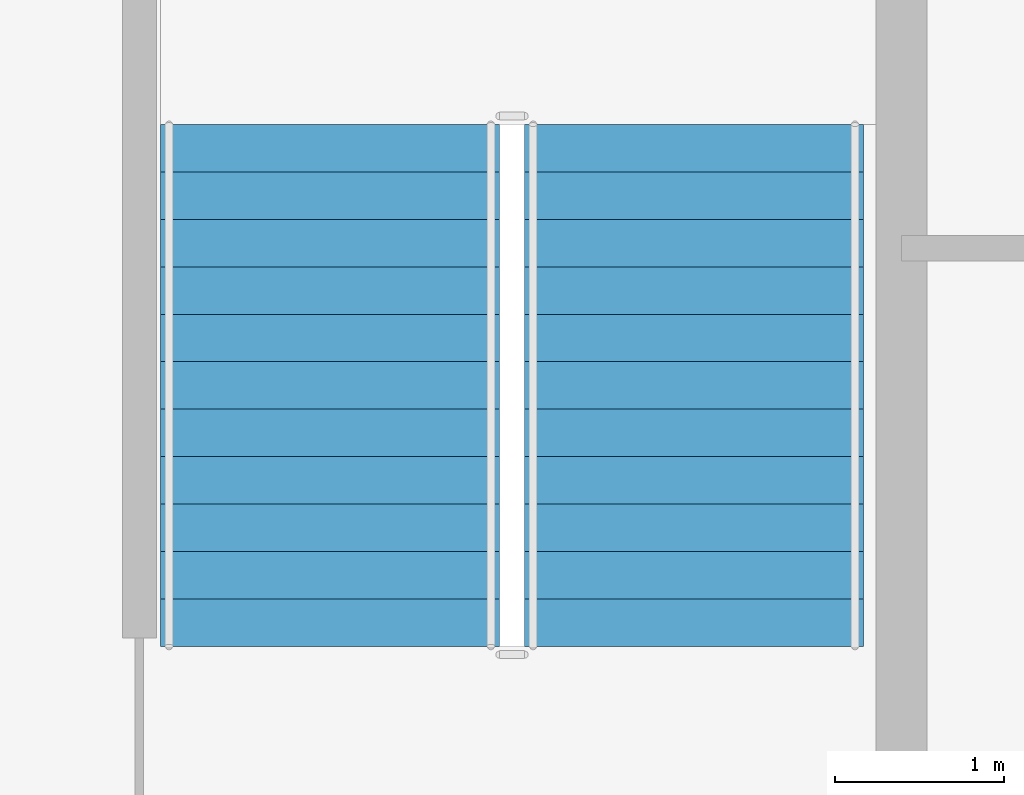
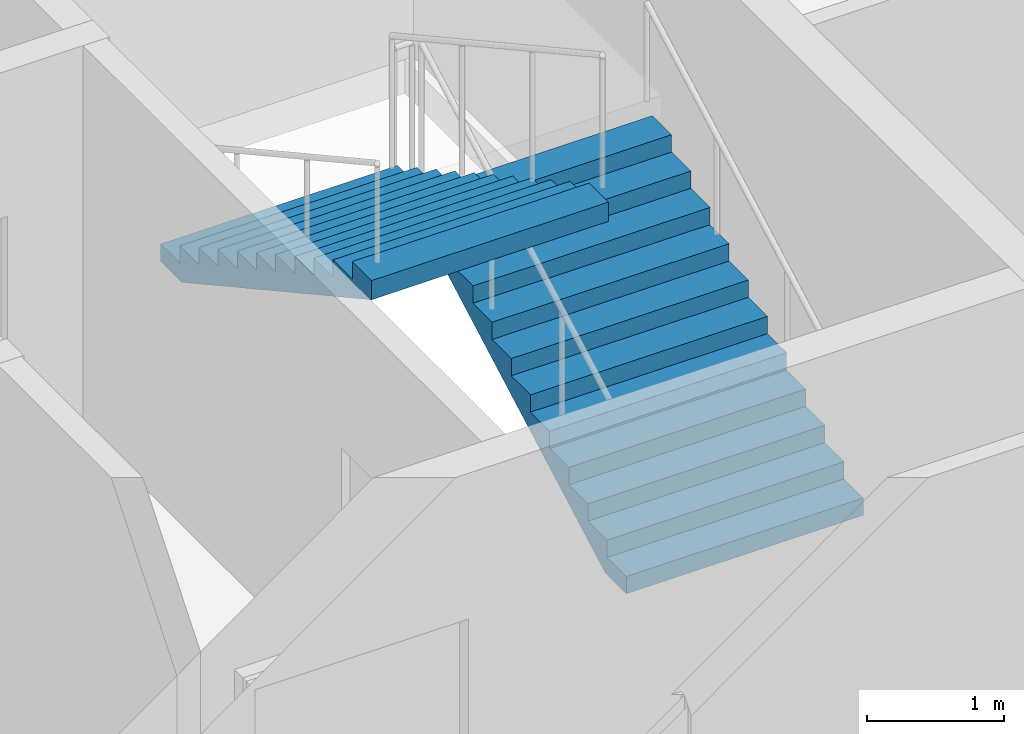
# One storey, part 11 of 13: 2 stair flights, 1 element without a shape of its own.
"""IFC4 building model written with IfcOpenShell, lengths in metres."""

from ifc_helpers import new_model, si_unit, direction, frame, origin, place, context, subcontext, project, spatial, polygons, material, type_object, element, aggregate, save


model = new_model("IFC4")

# Units and contexts
model_context = context("Model", 3, precision=1e-05, world=origin(), true_north=direction((0.0, 1.0)))
body_context = subcontext(model_context, "Body", "Model", "MODEL_VIEW")
ifc_project = project(units=[si_unit("LENGTHUNIT", "METRE"), si_unit("AREAUNIT", "SQUARE_METRE"), si_unit("VOLUMEUNIT", "CUBIC_METRE"), si_unit("PLANEANGLEUNIT", "RADIAN"), si_unit("MASSUNIT", "GRAM", prefix="KILO")], contexts=[model_context])

# Site, building, storey
site_placement = place(None, origin())
site = spatial("IfcSite", under=ifc_project, at=site_placement, CompositionType="ELEMENT")
building_placement = place(site_placement, origin())
building = spatial("IfcBuilding", under=site, at=building_placement, Name="Caravel Reach Hotel and Residences", CompositionType="ELEMENT")
storey_placement = place(building_placement, frame((0.0, 0.0, 180.199951171875)))
storey = spatial("IfcBuildingStorey", under=building, at=storey_placement, Name="L45", CompositionType="ELEMENT", Elevation=180.199951171875)

# Stair, stair flights
ifc_material_1 = material(Name="Concrete C40", Category="concrete")
stair_type = type_object("IfcStairType", Name="Core stair", PredefinedType="HALF_TURN_STAIR", material=ifc_material_1)
stair_placement = place(storey_placement, origin())
stair = element("IfcStair", 1, at=stair_placement, inside=storey, type_object=stair_type, Name="L45 Exit stair B", PredefinedType="HALF_TURN_STAIR")
ifc_material_2 = material(Name="Concrete C40", Category="concrete")
stair_flight_type = type_object("IfcStairFlightType", Name="Core stair flight", PredefinedType="STRAIGHT", material=ifc_material_2)
stair_flight_1_placement = place(storey_placement, frame((43.77490234375, 24.64990234375, 0.0), z_axis=(0.0, 0.0, 1.0), x_axis=(0.0, 1.0, 0.0)))
stair_flight_1 = element("IfcStairFlight", 2, at=stair_flight_1_placement, type_object=stair_flight_type, Name="ST-B flight 1", NumberOfRisers=12, NumberOfTreads=11, PredefinedType="STRAIGHT", RiserHeight=0.154166667, TreadLength=0.28, context=body_context, shape_type="Tessellation", body=[
    polygons([(0.3107950034306102, 1.0, 0.0), (0.3107950034306102, 0.6666666666666667, 0.0), (0.3107950034306102, 0.33333333333333337, 0.0), (0.3107950034306102, 0.0, 0.0), (0.3107950034306102, -0.33333333333333326, 0.0), (0.3107950034306102, -0.6666666666666667, 0.0), (0.3107950034306102, -1.0, 0.0), (3.081, 1.0, 1.524711087717319), (3.081, 0.6666666666666667, 1.524711087717319), (3.081, 0.33333333333333337, 1.524711087717319), (3.081, 0.0, 1.524711087717319), (3.081, -0.33333333333333326, 1.524711087717319), (3.081, -0.6666666666666667, 1.524711087717319), (3.081, -1.0, 1.524711087717319), (3.081, 1.0, 1.695833337), (3.081, 0.6666666666666667, 1.695833337), (3.081, 0.33333333333333337, 1.695833337), (3.081, 0.0, 1.695833337), (3.081, -0.33333333333333326, 1.695833337), (3.081, -0.6666666666666667, 1.695833337), (3.081, -1.0, 1.695833337), (2.8000000000000003, 1.0, 1.695833337), (2.8000000000000003, 0.6666666666666667, 1.695833337), (2.8000000000000003, 0.33333333333333337, 1.695833337), (2.8000000000000003, 0.0, 1.695833337), (2.8000000000000003, -0.33333333333333326, 1.695833337), (2.8000000000000003, -0.6666666666666667, 1.695833337), (2.8000000000000003, -1.0, 1.695833337), (2.8000000000000003, 1.0, 1.5416666700000001), (2.8000000000000003, 0.6666666666666667, 1.5416666700000001), (2.8000000000000003, 0.33333333333333337, 1.5416666700000001), (2.8000000000000003, 0.0, 1.5416666700000001), (2.8000000000000003, -0.33333333333333326, 1.5416666700000001), (2.8000000000000003, -0.6666666666666667, 1.5416666700000001), (2.8000000000000003, -1.0, 1.5416666700000001), (2.5200000000000005, 1.0, 1.5416666700000001), (2.5200000000000005, 0.6666666666666667, 1.5416666700000001), (2.5200000000000005, 0.33333333333333337, 1.5416666700000001), (2.5200000000000005, 0.0, 1.5416666700000001), (2.5200000000000005, -0.33333333333333326, 1.5416666700000001), (2.5200000000000005, -0.6666666666666667, 1.5416666700000001), (2.5200000000000005, -1.0, 1.5416666700000001), (2.5200000000000005, 1.0, 1.387500003), (2.5200000000000005, 0.6666666666666667, 1.387500003), (2.5200000000000005, 0.33333333333333337, 1.387500003), (2.5200000000000005, 0.0, 1.387500003), (2.5200000000000005, -0.33333333333333326, 1.387500003), (2.5200000000000005, -0.6666666666666667, 1.387500003), (2.5200000000000005, -1.0, 1.387500003), (2.24, 1.0, 1.387500003), (2.24, 0.6666666666666667, 1.387500003), (2.24, 0.33333333333333337, 1.387500003), (2.24, 0.0, 1.387500003), (2.24, -0.33333333333333326, 1.387500003), (2.24, -0.6666666666666667, 1.387500003), (2.24, -1.0, 1.387500003), (2.24, 1.0, 1.233333336), (2.24, 0.6666666666666667, 1.233333336), (2.24, 0.33333333333333337, 1.233333336), (2.24, 0.0, 1.233333336), (2.24, -0.33333333333333326, 1.233333336), (2.24, -0.6666666666666667, 1.233333336), (2.24, -1.0, 1.233333336), (1.9600000000000002, 1.0, 1.233333336), (1.9600000000000002, 0.6666666666666667, 1.233333336), (1.9600000000000002, 0.33333333333333337, 1.233333336), (1.9600000000000002, 0.0, 1.233333336), (1.9600000000000002, -0.33333333333333326, 1.233333336), (1.9600000000000002, -0.6666666666666667, 1.233333336), (1.9600000000000002, -1.0, 1.233333336), (1.9600000000000002, 1.0, 1.0791666690000001), (1.9600000000000002, 0.6666666666666667, 1.0791666690000001), (1.9600000000000002, 0.33333333333333337, 1.0791666690000001), (1.9600000000000002, 0.0, 1.0791666690000001), (1.9600000000000002, -0.33333333333333326, 1.0791666690000001), (1.9600000000000002, -0.6666666666666667, 1.0791666690000001), (1.9600000000000002, -1.0, 1.0791666690000001), (1.6800000000000002, 1.0, 1.0791666690000001), (1.6800000000000002, 0.6666666666666667, 1.0791666690000001), (1.6800000000000002, 0.33333333333333337, 1.0791666690000001), (1.6800000000000002, 0.0, 1.0791666690000001), (1.6800000000000002, -0.33333333333333326, 1.0791666690000001), (1.6800000000000002, -0.6666666666666667, 1.0791666690000001), (1.6800000000000002, -1.0, 1.0791666690000001), (1.6800000000000002, 1.0, 0.925000002), (1.6800000000000002, 0.6666666666666667, 0.925000002), (1.6800000000000002, 0.33333333333333337, 0.925000002), (1.6800000000000002, 0.0, 0.925000002), (1.6800000000000002, -0.33333333333333326, 0.925000002), (1.6800000000000002, -0.6666666666666667, 0.925000002), (1.6800000000000002, -1.0, 0.925000002), (1.4000000000000001, 1.0, 0.925000002), (1.4000000000000001, 0.6666666666666667, 0.925000002), (1.4000000000000001, 0.33333333333333337, 0.925000002), (1.4000000000000001, 0.0, 0.925000002), (1.4000000000000001, -0.33333333333333326, 0.925000002), (1.4000000000000001, -0.6666666666666667, 0.925000002), (1.4000000000000001, -1.0, 0.925000002), (1.4000000000000001, 1.0, 0.7708333350000001), (1.4000000000000001, 0.6666666666666667, 0.7708333350000001), (1.4000000000000001, 0.33333333333333337, 0.7708333350000001), (1.4000000000000001, 0.0, 0.7708333350000001), (1.4000000000000001, -0.33333333333333326, 0.7708333350000001), (1.4000000000000001, -0.6666666666666667, 0.7708333350000001), (1.4000000000000001, -1.0, 0.7708333350000001), (1.12, 1.0, 0.7708333350000001), (1.12, 0.6666666666666667, 0.7708333350000001), (1.12, 0.33333333333333337, 0.7708333350000001), (1.12, 0.0, 0.7708333350000001), (1.12, -0.33333333333333326, 0.7708333350000001), (1.12, -0.6666666666666667, 0.7708333350000001), (1.12, -1.0, 0.7708333350000001), (1.12, 1.0, 0.616666668), (1.12, 0.6666666666666667, 0.616666668), (1.12, 0.33333333333333337, 0.616666668), (1.12, 0.0, 0.616666668), (1.12, -0.33333333333333326, 0.616666668), (1.12, -0.6666666666666667, 0.616666668), (1.12, -1.0, 0.616666668), (0.8400000000000001, 1.0, 0.616666668), (0.8400000000000001, 0.6666666666666667, 0.616666668), (0.8400000000000001, 0.33333333333333337, 0.616666668), (0.8400000000000001, 0.0, 0.616666668), (0.8400000000000001, -0.33333333333333326, 0.616666668), (0.8400000000000001, -0.6666666666666667, 0.616666668), (0.8400000000000001, -1.0, 0.616666668), (0.8400000000000001, 1.0, 0.462500001), (0.8400000000000001, 0.6666666666666667, 0.462500001), (0.8400000000000001, 0.33333333333333337, 0.462500001), (0.8400000000000001, 0.0, 0.462500001), (0.8400000000000001, -0.33333333333333326, 0.462500001), (0.8400000000000001, -0.6666666666666667, 0.462500001), (0.8400000000000001, -1.0, 0.462500001), (0.56, 1.0, 0.462500001), (0.56, 0.6666666666666667, 0.462500001), (0.56, 0.33333333333333337, 0.462500001), (0.56, 0.0, 0.462500001), (0.56, -0.33333333333333326, 0.462500001), (0.56, -0.6666666666666667, 0.462500001), (0.56, -1.0, 0.462500001), (0.56, 1.0, 0.308333334), (0.56, 0.6666666666666667, 0.308333334), (0.56, 0.33333333333333337, 0.308333334), (0.56, 0.0, 0.308333334), (0.56, -0.33333333333333326, 0.308333334), (0.56, -0.6666666666666667, 0.308333334), (0.56, -1.0, 0.308333334), (0.28, 1.0, 0.308333334), (0.28, 0.6666666666666667, 0.308333334), (0.28, 0.33333333333333337, 0.308333334), (0.28, 0.0, 0.308333334), (0.28, -0.33333333333333326, 0.308333334), (0.28, -0.6666666666666667, 0.308333334), (0.28, -1.0, 0.308333334), (0.28, 1.0, 0.154166667), (0.28, 0.6666666666666667, 0.154166667), (0.28, 0.33333333333333337, 0.154166667), (0.28, 0.0, 0.154166667), (0.28, -0.33333333333333326, 0.154166667), (0.28, -0.6666666666666667, 0.154166667), (0.28, -1.0, 0.154166667), (-0.001, 1.0, 0.154166667), (-0.001, 0.6666666666666667, 0.154166667), (-0.001, 0.33333333333333337, 0.154166667), (-0.001, 0.0, 0.154166667), (-0.001, -0.33333333333333326, 0.154166667), (-0.001, -0.6666666666666667, 0.154166667), (-0.001, -1.0, 0.154166667), (-0.001, 1.0, 0.0), (-0.001, 0.6666666666666667, 0.0), (-0.001, 0.33333333333333337, 0.0), (-0.001, 0.0, 0.0), (-0.001, -0.33333333333333326, 0.0), (-0.001, -0.6666666666666667, 0.0), (-0.001, -1.0, 0.0)], [[[169, 162, 155, 148, 141, 134, 127, 120, 113, 106, 99, 92, 85, 78, 71, 64, 57, 50, 43, 36, 29, 22, 15, 8, 1]], [[7, 14, 21, 28, 35, 42, 49, 56, 63, 70, 77, 84, 91, 98, 105, 112, 119, 126, 133, 140, 147, 154, 161, 168, 175]], [[1, 8, 9, 2]], [[2, 9, 10, 3]], [[3, 10, 11, 4]], [[4, 11, 12, 5]], [[5, 12, 13, 6]], [[6, 13, 14, 7]], [[8, 15, 16, 9]], [[9, 16, 17, 10]], [[10, 17, 18, 11]], [[11, 18, 19, 12]], [[12, 19, 20, 13]], [[13, 20, 21, 14]], [[15, 22, 23, 16]], [[16, 23, 24, 17]], [[17, 24, 25, 18]], [[18, 25, 26, 19]], [[19, 26, 27, 20]], [[20, 27, 28, 21]], [[22, 29, 30, 23]], [[23, 30, 31, 24]], [[24, 31, 32, 25]], [[25, 32, 33, 26]], [[26, 33, 34, 27]], [[27, 34, 35, 28]], [[29, 36, 37, 30]], [[30, 37, 38, 31]], [[31, 38, 39, 32]], [[32, 39, 40, 33]], [[33, 40, 41, 34]], [[34, 41, 42, 35]], [[36, 43, 44, 37]], [[37, 44, 45, 38]], [[38, 45, 46, 39]], [[39, 46, 47, 40]], [[40, 47, 48, 41]], [[41, 48, 49, 42]], [[43, 50, 51, 44]], [[44, 51, 52, 45]], [[45, 52, 53, 46]], [[46, 53, 54, 47]], [[47, 54, 55, 48]], [[48, 55, 56, 49]], [[50, 57, 58, 51]], [[51, 58, 59, 52]], [[52, 59, 60, 53]], [[53, 60, 61, 54]], [[54, 61, 62, 55]], [[55, 62, 63, 56]], [[57, 64, 65, 58]], [[58, 65, 66, 59]], [[59, 66, 67, 60]], [[60, 67, 68, 61]], [[61, 68, 69, 62]], [[62, 69, 70, 63]], [[64, 71, 72, 65]], [[65, 72, 73, 66]], [[66, 73, 74, 67]], [[67, 74, 75, 68]], [[68, 75, 76, 69]], [[69, 76, 77, 70]], [[71, 78, 79, 72]], [[72, 79, 80, 73]], [[73, 80, 81, 74]], [[74, 81, 82, 75]], [[75, 82, 83, 76]], [[76, 83, 84, 77]], [[78, 85, 86, 79]], [[79, 86, 87, 80]], [[80, 87, 88, 81]], [[81, 88, 89, 82]], [[82, 89, 90, 83]], [[83, 90, 91, 84]], [[85, 92, 93, 86]], [[86, 93, 94, 87]], [[87, 94, 95, 88]], [[88, 95, 96, 89]], [[89, 96, 97, 90]], [[90, 97, 98, 91]], [[92, 99, 100, 93]], [[93, 100, 101, 94]], [[94, 101, 102, 95]], [[95, 102, 103, 96]], [[96, 103, 104, 97]], [[97, 104, 105, 98]], [[99, 106, 107, 100]], [[100, 107, 108, 101]], [[101, 108, 109, 102]], [[102, 109, 110, 103]], [[103, 110, 111, 104]], [[104, 111, 112, 105]], [[106, 113, 114, 107]], [[107, 114, 115, 108]], [[108, 115, 116, 109]], [[109, 116, 117, 110]], [[110, 117, 118, 111]], [[111, 118, 119, 112]], [[113, 120, 121, 114]], [[114, 121, 122, 115]], [[115, 122, 123, 116]], [[116, 123, 124, 117]], [[117, 124, 125, 118]], [[118, 125, 126, 119]], [[120, 127, 128, 121]], [[121, 128, 129, 122]], [[122, 129, 130, 123]], [[123, 130, 131, 124]], [[124, 131, 132, 125]], [[125, 132, 133, 126]], [[127, 134, 135, 128]], [[128, 135, 136, 129]], [[129, 136, 137, 130]], [[130, 137, 138, 131]], [[131, 138, 139, 132]], [[132, 139, 140, 133]], [[134, 141, 142, 135]], [[135, 142, 143, 136]], [[136, 143, 144, 137]], [[137, 144, 145, 138]], [[138, 145, 146, 139]], [[139, 146, 147, 140]], [[141, 148, 149, 142]], [[142, 149, 150, 143]], [[143, 150, 151, 144]], [[144, 151, 152, 145]], [[145, 152, 153, 146]], [[146, 153, 154, 147]], [[148, 155, 156, 149]], [[149, 156, 157, 150]], [[150, 157, 158, 151]], [[151, 158, 159, 152]], [[152, 159, 160, 153]], [[153, 160, 161, 154]], [[155, 162, 163, 156]], [[156, 163, 164, 157]], [[157, 164, 165, 158]], [[158, 165, 166, 159]], [[159, 166, 167, 160]], [[160, 167, 168, 161]], [[162, 169, 170, 163]], [[163, 170, 171, 164]], [[164, 171, 172, 165]], [[165, 172, 173, 166]], [[166, 173, 174, 167]], [[167, 174, 175, 168]], [[169, 1, 2, 170]], [[170, 2, 3, 171]], [[171, 3, 4, 172]], [[172, 4, 5, 173]], [[173, 5, 6, 174]], [[174, 6, 7, 175]]], closed=True),
])
stair_flight_2_placement = place(storey_placement, frame((41.625, 27.72998046875, 1.85009765625), z_axis=(0.0, 0.0, 1.0), x_axis=(0.0, -1.0, 0.0)))
stair_flight_2 = element("IfcStairFlight", 3, at=stair_flight_2_placement, type_object=stair_flight_type, Name="ST-B flight 2", NumberOfRisers=12, NumberOfTreads=11, PredefinedType="STRAIGHT", RiserHeight=0.154166667, TreadLength=0.28, context=body_context, shape_type="Tessellation", body=[
    polygons([(0.3107950034306102, 1.0, 0.0), (0.3107950034306102, 0.6666666666666667, 0.0), (0.3107950034306102, 0.33333333333333337, 0.0), (0.3107950034306102, 0.0, 0.0), (0.3107950034306102, -0.33333333333333326, 0.0), (0.3107950034306102, -0.6666666666666667, 0.0), (0.3107950034306102, -1.0, 0.0), (3.081, 1.0, 1.524711087717319), (3.081, 0.6666666666666667, 1.524711087717319), (3.081, 0.33333333333333337, 1.524711087717319), (3.081, 0.0, 1.524711087717319), (3.081, -0.33333333333333326, 1.524711087717319), (3.081, -0.6666666666666667, 1.524711087717319), (3.081, -1.0, 1.524711087717319), (3.081, 1.0, 1.695833337), (3.081, 0.6666666666666667, 1.695833337), (3.081, 0.33333333333333337, 1.695833337), (3.081, 0.0, 1.695833337), (3.081, -0.33333333333333326, 1.695833337), (3.081, -0.6666666666666667, 1.695833337), (3.081, -1.0, 1.695833337), (2.8000000000000003, 1.0, 1.695833337), (2.8000000000000003, 0.6666666666666667, 1.695833337), (2.8000000000000003, 0.33333333333333337, 1.695833337), (2.8000000000000003, 0.0, 1.695833337), (2.8000000000000003, -0.33333333333333326, 1.695833337), (2.8000000000000003, -0.6666666666666667, 1.695833337), (2.8000000000000003, -1.0, 1.695833337), (2.8000000000000003, 1.0, 1.5416666700000001), (2.8000000000000003, 0.6666666666666667, 1.5416666700000001), (2.8000000000000003, 0.33333333333333337, 1.5416666700000001), (2.8000000000000003, 0.0, 1.5416666700000001), (2.8000000000000003, -0.33333333333333326, 1.5416666700000001), (2.8000000000000003, -0.6666666666666667, 1.5416666700000001), (2.8000000000000003, -1.0, 1.5416666700000001), (2.5200000000000005, 1.0, 1.5416666700000001), (2.5200000000000005, 0.6666666666666667, 1.5416666700000001), (2.5200000000000005, 0.33333333333333337, 1.5416666700000001), (2.5200000000000005, 0.0, 1.5416666700000001), (2.5200000000000005, -0.33333333333333326, 1.5416666700000001), (2.5200000000000005, -0.6666666666666667, 1.5416666700000001), (2.5200000000000005, -1.0, 1.5416666700000001), (2.5200000000000005, 1.0, 1.387500003), (2.5200000000000005, 0.6666666666666667, 1.387500003), (2.5200000000000005, 0.33333333333333337, 1.387500003), (2.5200000000000005, 0.0, 1.387500003), (2.5200000000000005, -0.33333333333333326, 1.387500003), (2.5200000000000005, -0.6666666666666667, 1.387500003), (2.5200000000000005, -1.0, 1.387500003), (2.24, 1.0, 1.387500003), (2.24, 0.6666666666666667, 1.387500003), (2.24, 0.33333333333333337, 1.387500003), (2.24, 0.0, 1.387500003), (2.24, -0.33333333333333326, 1.387500003), (2.24, -0.6666666666666667, 1.387500003), (2.24, -1.0, 1.387500003), (2.24, 1.0, 1.233333336), (2.24, 0.6666666666666667, 1.233333336), (2.24, 0.33333333333333337, 1.233333336), (2.24, 0.0, 1.233333336), (2.24, -0.33333333333333326, 1.233333336), (2.24, -0.6666666666666667, 1.233333336), (2.24, -1.0, 1.233333336), (1.9600000000000002, 1.0, 1.233333336), (1.9600000000000002, 0.6666666666666667, 1.233333336), (1.9600000000000002, 0.33333333333333337, 1.233333336), (1.9600000000000002, 0.0, 1.233333336), (1.9600000000000002, -0.33333333333333326, 1.233333336), (1.9600000000000002, -0.6666666666666667, 1.233333336), (1.9600000000000002, -1.0, 1.233333336), (1.9600000000000002, 1.0, 1.0791666690000001), (1.9600000000000002, 0.6666666666666667, 1.0791666690000001), (1.9600000000000002, 0.33333333333333337, 1.0791666690000001), (1.9600000000000002, 0.0, 1.0791666690000001), (1.9600000000000002, -0.33333333333333326, 1.0791666690000001), (1.9600000000000002, -0.6666666666666667, 1.0791666690000001), (1.9600000000000002, -1.0, 1.0791666690000001), (1.6800000000000002, 1.0, 1.0791666690000001), (1.6800000000000002, 0.6666666666666667, 1.0791666690000001), (1.6800000000000002, 0.33333333333333337, 1.0791666690000001), (1.6800000000000002, 0.0, 1.0791666690000001), (1.6800000000000002, -0.33333333333333326, 1.0791666690000001), (1.6800000000000002, -0.6666666666666667, 1.0791666690000001), (1.6800000000000002, -1.0, 1.0791666690000001), (1.6800000000000002, 1.0, 0.925000002), (1.6800000000000002, 0.6666666666666667, 0.925000002), (1.6800000000000002, 0.33333333333333337, 0.925000002), (1.6800000000000002, 0.0, 0.925000002), (1.6800000000000002, -0.33333333333333326, 0.925000002), (1.6800000000000002, -0.6666666666666667, 0.925000002), (1.6800000000000002, -1.0, 0.925000002), (1.4000000000000001, 1.0, 0.925000002), (1.4000000000000001, 0.6666666666666667, 0.925000002), (1.4000000000000001, 0.33333333333333337, 0.925000002), (1.4000000000000001, 0.0, 0.925000002), (1.4000000000000001, -0.33333333333333326, 0.925000002), (1.4000000000000001, -0.6666666666666667, 0.925000002), (1.4000000000000001, -1.0, 0.925000002), (1.4000000000000001, 1.0, 0.7708333350000001), (1.4000000000000001, 0.6666666666666667, 0.7708333350000001), (1.4000000000000001, 0.33333333333333337, 0.7708333350000001), (1.4000000000000001, 0.0, 0.7708333350000001), (1.4000000000000001, -0.33333333333333326, 0.7708333350000001), (1.4000000000000001, -0.6666666666666667, 0.7708333350000001), (1.4000000000000001, -1.0, 0.7708333350000001), (1.12, 1.0, 0.7708333350000001), (1.12, 0.6666666666666667, 0.7708333350000001), (1.12, 0.33333333333333337, 0.7708333350000001), (1.12, 0.0, 0.7708333350000001), (1.12, -0.33333333333333326, 0.7708333350000001), (1.12, -0.6666666666666667, 0.7708333350000001), (1.12, -1.0, 0.7708333350000001), (1.12, 1.0, 0.616666668), (1.12, 0.6666666666666667, 0.616666668), (1.12, 0.33333333333333337, 0.616666668), (1.12, 0.0, 0.616666668), (1.12, -0.33333333333333326, 0.616666668), (1.12, -0.6666666666666667, 0.616666668), (1.12, -1.0, 0.616666668), (0.8400000000000001, 1.0, 0.616666668), (0.8400000000000001, 0.6666666666666667, 0.616666668), (0.8400000000000001, 0.33333333333333337, 0.616666668), (0.8400000000000001, 0.0, 0.616666668), (0.8400000000000001, -0.33333333333333326, 0.616666668), (0.8400000000000001, -0.6666666666666667, 0.616666668), (0.8400000000000001, -1.0, 0.616666668), (0.8400000000000001, 1.0, 0.462500001), (0.8400000000000001, 0.6666666666666667, 0.462500001), (0.8400000000000001, 0.33333333333333337, 0.462500001), (0.8400000000000001, 0.0, 0.462500001), (0.8400000000000001, -0.33333333333333326, 0.462500001), (0.8400000000000001, -0.6666666666666667, 0.462500001), (0.8400000000000001, -1.0, 0.462500001), (0.56, 1.0, 0.462500001), (0.56, 0.6666666666666667, 0.462500001), (0.56, 0.33333333333333337, 0.462500001), (0.56, 0.0, 0.462500001), (0.56, -0.33333333333333326, 0.462500001), (0.56, -0.6666666666666667, 0.462500001), (0.56, -1.0, 0.462500001), (0.56, 1.0, 0.308333334), (0.56, 0.6666666666666667, 0.308333334), (0.56, 0.33333333333333337, 0.308333334), (0.56, 0.0, 0.308333334), (0.56, -0.33333333333333326, 0.308333334), (0.56, -0.6666666666666667, 0.308333334), (0.56, -1.0, 0.308333334), (0.28, 1.0, 0.308333334), (0.28, 0.6666666666666667, 0.308333334), (0.28, 0.33333333333333337, 0.308333334), (0.28, 0.0, 0.308333334), (0.28, -0.33333333333333326, 0.308333334), (0.28, -0.6666666666666667, 0.308333334), (0.28, -1.0, 0.308333334), (0.28, 1.0, 0.154166667), (0.28, 0.6666666666666667, 0.154166667), (0.28, 0.33333333333333337, 0.154166667), (0.28, 0.0, 0.154166667), (0.28, -0.33333333333333326, 0.154166667), (0.28, -0.6666666666666667, 0.154166667), (0.28, -1.0, 0.154166667), (-0.001, 1.0, 0.154166667), (-0.001, 0.6666666666666667, 0.154166667), (-0.001, 0.33333333333333337, 0.154166667), (-0.001, 0.0, 0.154166667), (-0.001, -0.33333333333333326, 0.154166667), (-0.001, -0.6666666666666667, 0.154166667), (-0.001, -1.0, 0.154166667), (-0.001, 1.0, 0.0), (-0.001, 0.6666666666666667, 0.0), (-0.001, 0.33333333333333337, 0.0), (-0.001, 0.0, 0.0), (-0.001, -0.33333333333333326, 0.0), (-0.001, -0.6666666666666667, 0.0), (-0.001, -1.0, 0.0)], [[[169, 162, 155, 148, 141, 134, 127, 120, 113, 106, 99, 92, 85, 78, 71, 64, 57, 50, 43, 36, 29, 22, 15, 8, 1]], [[7, 14, 21, 28, 35, 42, 49, 56, 63, 70, 77, 84, 91, 98, 105, 112, 119, 126, 133, 140, 147, 154, 161, 168, 175]], [[1, 8, 9, 2]], [[2, 9, 10, 3]], [[3, 10, 11, 4]], [[4, 11, 12, 5]], [[5, 12, 13, 6]], [[6, 13, 14, 7]], [[8, 15, 16, 9]], [[9, 16, 17, 10]], [[10, 17, 18, 11]], [[11, 18, 19, 12]], [[12, 19, 20, 13]], [[13, 20, 21, 14]], [[15, 22, 23, 16]], [[16, 23, 24, 17]], [[17, 24, 25, 18]], [[18, 25, 26, 19]], [[19, 26, 27, 20]], [[20, 27, 28, 21]], [[22, 29, 30, 23]], [[23, 30, 31, 24]], [[24, 31, 32, 25]], [[25, 32, 33, 26]], [[26, 33, 34, 27]], [[27, 34, 35, 28]], [[29, 36, 37, 30]], [[30, 37, 38, 31]], [[31, 38, 39, 32]], [[32, 39, 40, 33]], [[33, 40, 41, 34]], [[34, 41, 42, 35]], [[36, 43, 44, 37]], [[37, 44, 45, 38]], [[38, 45, 46, 39]], [[39, 46, 47, 40]], [[40, 47, 48, 41]], [[41, 48, 49, 42]], [[43, 50, 51, 44]], [[44, 51, 52, 45]], [[45, 52, 53, 46]], [[46, 53, 54, 47]], [[47, 54, 55, 48]], [[48, 55, 56, 49]], [[50, 57, 58, 51]], [[51, 58, 59, 52]], [[52, 59, 60, 53]], [[53, 60, 61, 54]], [[54, 61, 62, 55]], [[55, 62, 63, 56]], [[57, 64, 65, 58]], [[58, 65, 66, 59]], [[59, 66, 67, 60]], [[60, 67, 68, 61]], [[61, 68, 69, 62]], [[62, 69, 70, 63]], [[64, 71, 72, 65]], [[65, 72, 73, 66]], [[66, 73, 74, 67]], [[67, 74, 75, 68]], [[68, 75, 76, 69]], [[69, 76, 77, 70]], [[71, 78, 79, 72]], [[72, 79, 80, 73]], [[73, 80, 81, 74]], [[74, 81, 82, 75]], [[75, 82, 83, 76]], [[76, 83, 84, 77]], [[78, 85, 86, 79]], [[79, 86, 87, 80]], [[80, 87, 88, 81]], [[81, 88, 89, 82]], [[82, 89, 90, 83]], [[83, 90, 91, 84]], [[85, 92, 93, 86]], [[86, 93, 94, 87]], [[87, 94, 95, 88]], [[88, 95, 96, 89]], [[89, 96, 97, 90]], [[90, 97, 98, 91]], [[92, 99, 100, 93]], [[93, 100, 101, 94]], [[94, 101, 102, 95]], [[95, 102, 103, 96]], [[96, 103, 104, 97]], [[97, 104, 105, 98]], [[99, 106, 107, 100]], [[100, 107, 108, 101]], [[101, 108, 109, 102]], [[102, 109, 110, 103]], [[103, 110, 111, 104]], [[104, 111, 112, 105]], [[106, 113, 114, 107]], [[107, 114, 115, 108]], [[108, 115, 116, 109]], [[109, 116, 117, 110]], [[110, 117, 118, 111]], [[111, 118, 119, 112]], [[113, 120, 121, 114]], [[114, 121, 122, 115]], [[115, 122, 123, 116]], [[116, 123, 124, 117]], [[117, 124, 125, 118]], [[118, 125, 126, 119]], [[120, 127, 128, 121]], [[121, 128, 129, 122]], [[122, 129, 130, 123]], [[123, 130, 131, 124]], [[124, 131, 132, 125]], [[125, 132, 133, 126]], [[127, 134, 135, 128]], [[128, 135, 136, 129]], [[129, 136, 137, 130]], [[130, 137, 138, 131]], [[131, 138, 139, 132]], [[132, 139, 140, 133]], [[134, 141, 142, 135]], [[135, 142, 143, 136]], [[136, 143, 144, 137]], [[137, 144, 145, 138]], [[138, 145, 146, 139]], [[139, 146, 147, 140]], [[141, 148, 149, 142]], [[142, 149, 150, 143]], [[143, 150, 151, 144]], [[144, 151, 152, 145]], [[145, 152, 153, 146]], [[146, 153, 154, 147]], [[148, 155, 156, 149]], [[149, 156, 157, 150]], [[150, 157, 158, 151]], [[151, 158, 159, 152]], [[152, 159, 160, 153]], [[153, 160, 161, 154]], [[155, 162, 163, 156]], [[156, 163, 164, 157]], [[157, 164, 165, 158]], [[158, 165, 166, 159]], [[159, 166, 167, 160]], [[160, 167, 168, 161]], [[162, 169, 170, 163]], [[163, 170, 171, 164]], [[164, 171, 172, 165]], [[165, 172, 173, 166]], [[166, 173, 174, 167]], [[167, 174, 175, 168]], [[169, 1, 2, 170]], [[170, 2, 3, 171]], [[171, 3, 4, 172]], [[172, 4, 5, 173]], [[173, 5, 6, 174]], [[174, 6, 7, 175]]], closed=True),
])
aggregate(stair, [stair_flight_1, stair_flight_2])

save(model, "model.ifc")
